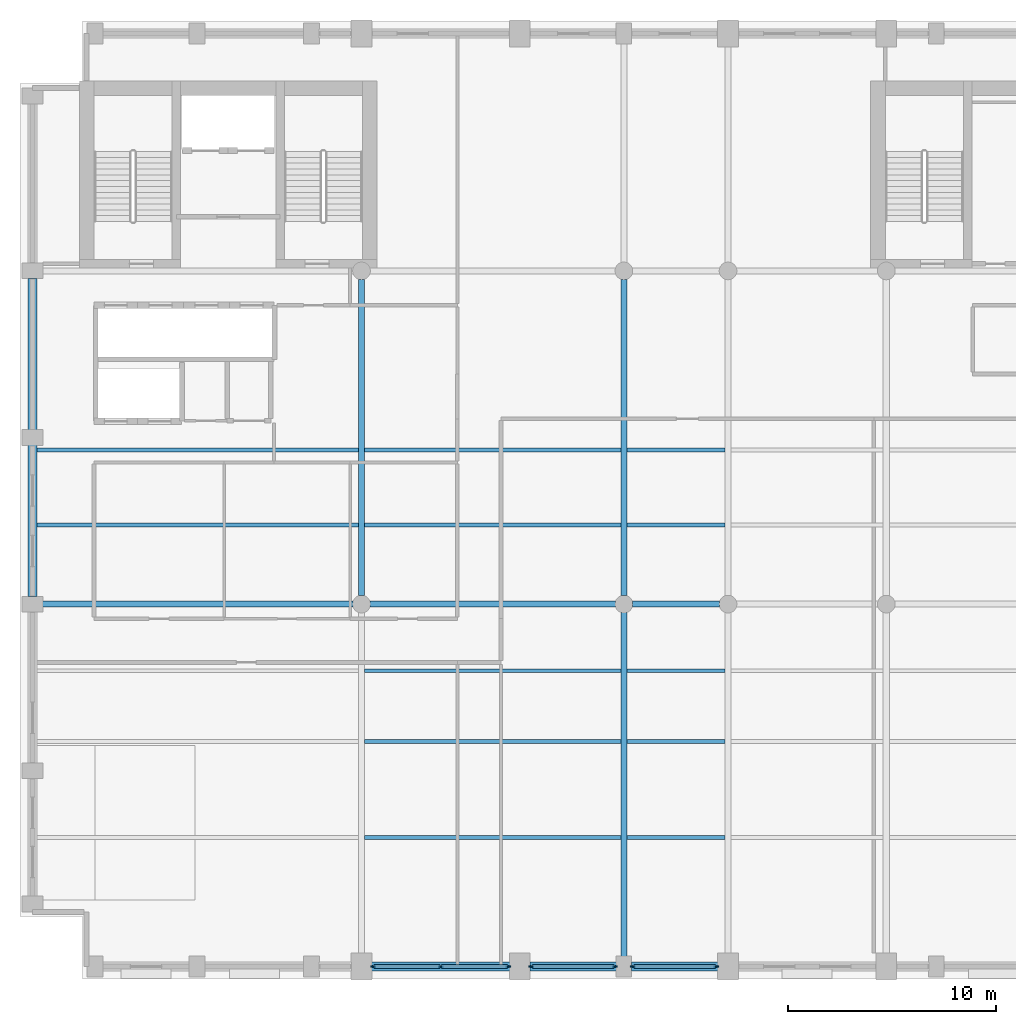
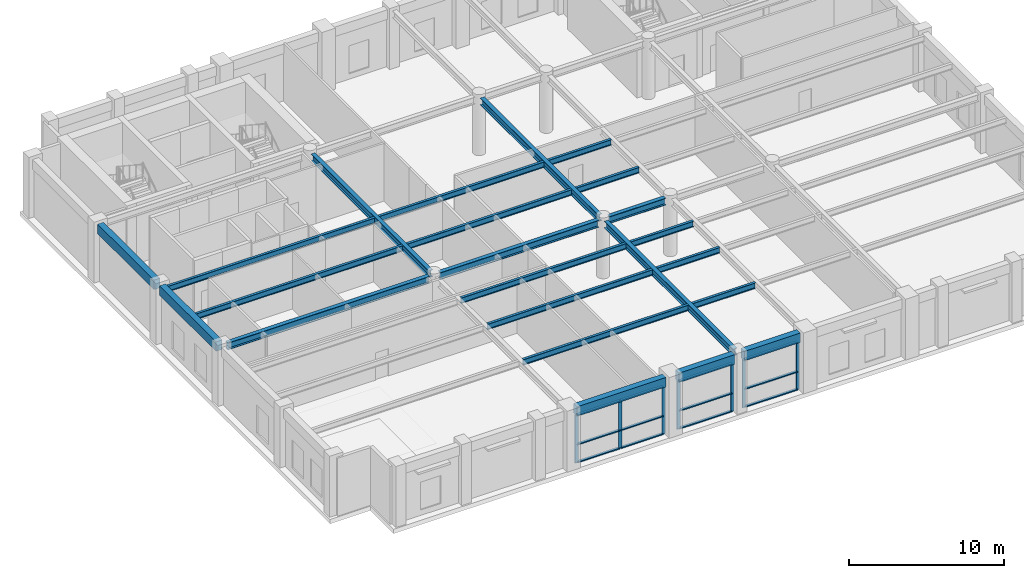
# One storey, part 2 of 10: 23 beams, 19 members, 3 elements without a shape of their own.
"""IFC4 building model written with IfcOpenShell, lengths in metres."""

from ifc_helpers import new_model, si_unit, direction, frame, origin, origin_2d, place, context, subcontext, project, spatial, rectangle, i_section, extrude, material, layer, layer_set, material_profile, profile_set, type_object, element, aggregate, save


model = new_model("IFC4")

# Units and contexts
model_context = context("Model", 3, precision=1e-05, world=origin(), true_north=direction((0.0, 1.0)))
body_context = subcontext(model_context, "Body", "Model", "MODEL_VIEW")
ifc_project = project(units=[si_unit("LENGTHUNIT", "METRE"), si_unit("AREAUNIT", "SQUARE_METRE"), si_unit("VOLUMEUNIT", "CUBIC_METRE"), si_unit("PLANEANGLEUNIT", "RADIAN"), si_unit("MASSUNIT", "GRAM", prefix="KILO")], contexts=[model_context])

# Site, building, storey
site_placement = place(None, origin())
site = spatial("IfcSite", under=ifc_project, at=site_placement, CompositionType="ELEMENT")
building_placement = place(site_placement, origin())
building = spatial("IfcBuilding", under=site, at=building_placement, Name="Sulina Concourse Tower", CompositionType="ELEMENT")
storey_placement = place(building_placement, frame((0.0, 0.0, 243.800048828125)))
storey = spatial("IfcBuildingStorey", under=building, at=storey_placement, Name="L59", CompositionType="ELEMENT", Elevation=243.800048828125)

# Beams
ifc_material_1 = material(Name="Steel S355", Category="steel")
ifc_material_profile_1 = material_profile(ifc_material_1, i_section(OverallWidth=0.18994140625, OverallDepth=0.449951171875, WebThickness=0.009521484375, FlangeThickness=0.0146484375, at=origin_2d()), Name="IPE 450")
ifc_profile_set_1 = profile_set([ifc_material_profile_1], Name="Steel S355")
beam_type_1 = type_object("IfcBeamType", Name="Composite Floor Joist IPE450", PredefinedType="JOIST", material=ifc_profile_set_1)
beam_1_placement = place(storey_placement, frame((16.550048828125, 6.800048828125, 4.324951171875), z_axis=(1.0, 0.0, 0.0), x_axis=(0.0, 1.0, 0.0)))
element("IfcBeam", 1, at=beam_1_placement, inside=storey, type_object=beam_type_1, Name="FJ-J06-2-L59", PredefinedType="JOIST", context=body_context, shape_type="SweptSolid", body=[
    extrude(i_section(OverallWidth=0.18994140625, OverallDepth=0.449951171875, WebThickness=0.009521484375, FlangeThickness=0.0146484375, at=origin_2d()), origin(), (0.0, 0.0, 1.0), 12.300048828125),
])
beam_2_placement = place(storey_placement, frame((29.14990234375, 6.800048828125, 4.324951171875), z_axis=(1.0, 0.0, 0.0), x_axis=(0.0, 1.0, 0.0)))
element("IfcBeam", 2, at=beam_2_placement, inside=storey, type_object=beam_type_1, Name="FJ-J06-3-L59", PredefinedType="JOIST", context=body_context, shape_type="SweptSolid", body=[
    extrude(i_section(OverallWidth=0.18994140625, OverallDepth=0.449951171875, WebThickness=0.009521484375, FlangeThickness=0.0146484375, at=origin_2d()), origin(), (0.0, 0.0, 1.0), 4.7001953125),
])
beam_3_placement = place(storey_placement, frame((16.550048828125, 11.39990234375, 4.324951171875), z_axis=(1.0, 0.0, 0.0), x_axis=(0.0, 1.0, 0.0)))
element("IfcBeam", 3, at=beam_3_placement, inside=storey, type_object=beam_type_1, Name="FJ-J11-2-L59", PredefinedType="JOIST", context=body_context, shape_type="SweptSolid", body=[
    extrude(i_section(OverallWidth=0.18994140625, OverallDepth=0.449951171875, WebThickness=0.009521484375, FlangeThickness=0.0146484375, at=origin_2d()), origin(), (0.0, 0.0, 1.0), 12.300048828125),
])
beam_4_placement = place(storey_placement, frame((29.14990234375, 11.39990234375, 4.324951171875), z_axis=(1.0, 0.0, 0.0), x_axis=(0.0, 1.0, 0.0)))
element("IfcBeam", 4, at=beam_4_placement, inside=storey, type_object=beam_type_1, Name="FJ-J11-3-L59", PredefinedType="JOIST", context=body_context, shape_type="SweptSolid", body=[
    extrude(i_section(OverallWidth=0.18994140625, OverallDepth=0.449951171875, WebThickness=0.009521484375, FlangeThickness=0.0146484375, at=origin_2d()), origin(), (0.0, 0.0, 1.0), 4.7001953125),
])
beam_5_placement = place(storey_placement, frame((16.550048828125, 14.800048828125, 4.324951171875), z_axis=(1.0, 0.0, 0.0), x_axis=(0.0, 1.0, 0.0)))
element("IfcBeam", 5, at=beam_5_placement, inside=storey, type_object=beam_type_1, Name="FJ-J15-2-L59", PredefinedType="JOIST", context=body_context, shape_type="SweptSolid", body=[
    extrude(i_section(OverallWidth=0.18994140625, OverallDepth=0.449951171875, WebThickness=0.009521484375, FlangeThickness=0.0146484375, at=origin_2d()), origin(), (0.0, 0.0, 1.0), 12.300048828125),
])
beam_6_placement = place(storey_placement, frame((29.14990234375, 14.800048828125, 4.324951171875), z_axis=(1.0, 0.0, 0.0), x_axis=(0.0, 1.0, 0.0)))
element("IfcBeam", 6, at=beam_6_placement, inside=storey, type_object=beam_type_1, Name="FJ-J15-3-L59", PredefinedType="JOIST", context=body_context, shape_type="SweptSolid", body=[
    extrude(i_section(OverallWidth=0.18994140625, OverallDepth=0.449951171875, WebThickness=0.009521484375, FlangeThickness=0.0146484375, at=origin_2d()), origin(), (0.0, 0.0, 1.0), 4.7001953125),
])
beam_7_placement = place(storey_placement, frame((0.824951171875, 21.800048828125, 4.324951171875), z_axis=(1.0, 0.0, 0.0), x_axis=(0.0, 1.0, 0.0)))
element("IfcBeam", 7, at=beam_7_placement, inside=storey, type_object=beam_type_1, Name="FJ-J22-1-L59", PredefinedType="JOIST", context=body_context, shape_type="SweptSolid", body=[
    extrude(i_section(OverallWidth=0.18994140625, OverallDepth=0.449951171875, WebThickness=0.009521484375, FlangeThickness=0.0146484375, at=origin_2d()), origin(), (0.0, 0.0, 1.0), 15.425048828125),
])
beam_8_placement = place(storey_placement, frame((16.550048828125, 21.800048828125, 4.324951171875), z_axis=(1.0, 0.0, 0.0), x_axis=(0.0, 1.0, 0.0)))
element("IfcBeam", 8, at=beam_8_placement, inside=storey, type_object=beam_type_1, Name="FJ-J22-2-L59", PredefinedType="JOIST", context=body_context, shape_type="SweptSolid", body=[
    extrude(i_section(OverallWidth=0.18994140625, OverallDepth=0.449951171875, WebThickness=0.009521484375, FlangeThickness=0.0146484375, at=origin_2d()), origin(), (0.0, 0.0, 1.0), 12.300048828125),
])
beam_9_placement = place(storey_placement, frame((29.14990234375, 21.800048828125, 4.324951171875), z_axis=(1.0, 0.0, 0.0), x_axis=(0.0, 1.0, 0.0)))
element("IfcBeam", 9, at=beam_9_placement, inside=storey, type_object=beam_type_1, Name="FJ-J22-3-L59", PredefinedType="JOIST", context=body_context, shape_type="SweptSolid", body=[
    extrude(i_section(OverallWidth=0.18994140625, OverallDepth=0.449951171875, WebThickness=0.009521484375, FlangeThickness=0.0146484375, at=origin_2d()), origin(), (0.0, 0.0, 1.0), 4.7001953125),
])
beam_10_placement = place(storey_placement, frame((0.824951171875, 25.39990234375, 4.324951171875), z_axis=(1.0, 0.0, 0.0), x_axis=(0.0, 1.0, 0.0)))
element("IfcBeam", 10, at=beam_10_placement, inside=storey, type_object=beam_type_1, Name="FJ-J25-1-L59", PredefinedType="JOIST", context=body_context, shape_type="SweptSolid", body=[
    extrude(i_section(OverallWidth=0.18994140625, OverallDepth=0.449951171875, WebThickness=0.009521484375, FlangeThickness=0.0146484375, at=origin_2d()), origin(), (0.0, 0.0, 1.0), 15.425048828125),
])
beam_11_placement = place(storey_placement, frame((16.550048828125, 25.39990234375, 4.324951171875), z_axis=(1.0, 0.0, 0.0), x_axis=(0.0, 1.0, 0.0)))
element("IfcBeam", 11, at=beam_11_placement, inside=storey, type_object=beam_type_1, Name="FJ-J25-2-L59", PredefinedType="JOIST", context=body_context, shape_type="SweptSolid", body=[
    extrude(i_section(OverallWidth=0.18994140625, OverallDepth=0.449951171875, WebThickness=0.009521484375, FlangeThickness=0.0146484375, at=origin_2d()), origin(), (0.0, 0.0, 1.0), 12.300048828125),
])
beam_12_placement = place(storey_placement, frame((29.14990234375, 25.39990234375, 4.324951171875), z_axis=(1.0, 0.0, 0.0), x_axis=(0.0, 1.0, 0.0)))
element("IfcBeam", 12, at=beam_12_placement, inside=storey, type_object=beam_type_1, Name="FJ-J25-3-L59", PredefinedType="JOIST", context=body_context, shape_type="SweptSolid", body=[
    extrude(i_section(OverallWidth=0.18994140625, OverallDepth=0.449951171875, WebThickness=0.009521484375, FlangeThickness=0.0146484375, at=origin_2d()), origin(), (0.0, 0.0, 1.0), 4.7001953125),
])
ifc_material_2 = material(Name="Steel S355", Category="steel")
ifc_material_profile_2 = material_profile(ifc_material_2, i_section(OverallWidth=0.300048828125, OverallDepth=0.550048828125, WebThickness=0.014892578125, FlangeThickness=0.029052734375, at=origin_2d()), Name="HE 550 B")
ifc_profile_set_2 = profile_set([ifc_material_profile_2], Name="Steel S355")
beam_type_2 = type_object("IfcBeamType", Name="Floor Primary Girder Zone 4 HE550B", PredefinedType="BEAM", material=ifc_profile_set_2)
beam_13_placement = place(storey_placement, frame((0.955078125, 18.0, 4.27490234375), z_axis=(1.0, 0.0, 0.0), x_axis=(0.0, 1.0, 0.0)))
element("IfcBeam", 13, at=beam_13_placement, inside=storey, type_object=beam_type_2, Name="FG-EW1-L59", PredefinedType="BEAM", context=body_context, shape_type="SweptSolid", body=[
    extrude(i_section(OverallWidth=0.300048828125, OverallDepth=0.550048828125, WebThickness=0.014892578125, FlangeThickness=0.029052734375, at=origin_2d()), origin(), (0.0, 0.0, 1.0), 15.0400390625),
])
beam_14_placement = place(storey_placement, frame((16.804931640625, 18.0, 4.27490234375), z_axis=(1.0, 0.0, 0.0), x_axis=(0.0, 1.0, 0.0)))
element("IfcBeam", 14, at=beam_14_placement, inside=storey, type_object=beam_type_2, Name="FG-EW2-L59", PredefinedType="BEAM", context=body_context, shape_type="SweptSolid", body=[
    extrude(i_section(OverallWidth=0.300048828125, OverallDepth=0.550048828125, WebThickness=0.014892578125, FlangeThickness=0.029052734375, at=origin_2d()), origin(), (0.0, 0.0, 1.0), 11.7900390625),
])
beam_15_placement = place(storey_placement, frame((29.405029296875, 18.0, 4.27490234375), z_axis=(1.0, 0.0, 0.0), x_axis=(0.0, 1.0, 0.0)))
element("IfcBeam", 15, at=beam_15_placement, inside=storey, type_object=beam_type_2, Name="FG-EW3-L59", PredefinedType="BEAM", context=body_context, shape_type="SweptSolid", body=[
    extrude(i_section(OverallWidth=0.300048828125, OverallDepth=0.550048828125, WebThickness=0.014892578125, FlangeThickness=0.029052734375, at=origin_2d()), origin(), (0.0, 0.0, 1.0), 4.18994140625),
])
beam_16_placement = place(storey_placement, frame((16.39990234375, 18.405029296875, 4.27490234375), z_axis=(0.0, 1.0, 0.0), x_axis=(-1.0, 0.0, 0.0)))
element("IfcBeam", 16, at=beam_16_placement, inside=storey, type_object=beam_type_2, Name="FG-NSB-16-L59", PredefinedType="BEAM", context=body_context, shape_type="SweptSolid", body=[
    extrude(i_section(OverallWidth=0.300048828125, OverallDepth=0.550048828125, WebThickness=0.014892578125, FlangeThickness=0.029052734375, at=origin_2d()), origin(), (0.0, 0.0, 1.0), 15.18994140625),
])
beam_17_placement = place(storey_placement, frame((29.0, 0.955078125, 4.27490234375), z_axis=(0.0, 1.0, 0.0), x_axis=(-1.0, 0.0, 0.0)))
element("IfcBeam", 17, at=beam_17_placement, inside=storey, type_object=beam_type_2, Name="FG-NSA-29-L59", PredefinedType="BEAM", context=body_context, shape_type="SweptSolid", body=[
    extrude(i_section(OverallWidth=0.300048828125, OverallDepth=0.550048828125, WebThickness=0.014892578125, FlangeThickness=0.029052734375, at=origin_2d()), origin(), (0.0, 0.0, 1.0), 16.639892578125),
])
beam_18_placement = place(storey_placement, frame((29.0, 18.405029296875, 4.27490234375), z_axis=(0.0, 1.0, 0.0), x_axis=(-1.0, 0.0, 0.0)))
element("IfcBeam", 18, at=beam_18_placement, inside=storey, type_object=beam_type_2, Name="FG-NSB-29-L59", PredefinedType="BEAM", context=body_context, shape_type="SweptSolid", body=[
    extrude(i_section(OverallWidth=0.300048828125, OverallDepth=0.550048828125, WebThickness=0.014892578125, FlangeThickness=0.029052734375, at=origin_2d()), origin(), (0.0, 0.0, 1.0), 15.18994140625),
])

# Curtain wall, members
ifc_material_3 = material(Name="Anodised bronze aluminium", Category="aluminium")
ifc_layer = layer(ifc_material_3, 0.260009765625)
ifc_layer_set = layer_set([ifc_layer], Name="Anodised bronze aluminium")
curtain_wall_type = type_object("IfcCurtainWallType", Name="Sky-Lobby Panorama Curtain Wall System", PredefinedType="NOTDEFINED", material=ifc_layer_set)
curtain_wall_1_placement = place(storey_placement, origin())
curtain_wall_1 = element("IfcCurtainWall", 19, at=curtain_wall_1_placement, inside=storey, type_object=curtain_wall_type, Name="L59 glazed curtain wall S4", PredefinedType="NOTDEFINED")
ifc_material_4 = material(Name="Anodised bronze aluminium", Category="aluminium")
ifc_material_profile_3 = material_profile(ifc_material_4, rectangle(XDim=0.080078125, YDim=0.239990234375, at=origin_2d()), Name="MUL 80x240")
ifc_profile_set_3 = profile_set([ifc_material_profile_3], Name="Anodised bronze aluminium")
member_type_1 = type_object("IfcMemberType", Name="Sky-Lobby Panorama Curtain Wall System Mullion 80x240", PredefinedType="MULLION", material=ifc_profile_set_3)
member_1_placement = place(storey_placement, frame((23.43994140625, 0.60009765625, 0.0), z_axis=(0.0, 0.0, 1.0), x_axis=(0.0, -1.0, 0.0)))
member_1 = element("IfcMember", 20, at=member_1_placement, type_object=member_type_1, Name="CW-03 mullion 1", PredefinedType="MULLION", context=body_context, shape_type="SweptSolid", body=[
    extrude(rectangle(XDim=0.080078125, YDim=0.239990234375, at=origin_2d()), origin(), (0.0, 0.0, 1.0), 3.800048828125),
])
member_2_placement = place(storey_placement, frame((20.199951171875, 0.60009765625, 0.0), z_axis=(0.0, 0.0, 1.0), x_axis=(0.0, -1.0, 0.0)))
member_2 = element("IfcMember", 21, at=member_2_placement, type_object=member_type_1, Name="CW-03 mullion 2", PredefinedType="MULLION", context=body_context, shape_type="SweptSolid", body=[
    extrude(rectangle(XDim=0.080078125, YDim=0.239990234375, at=origin_2d()), origin(), (0.0, 0.0, 1.0), 3.800048828125),
])
member_3_placement = place(storey_placement, frame((16.9599609375, 0.60009765625, 0.0), z_axis=(0.0, 0.0, 1.0), x_axis=(0.0, -1.0, 0.0)))
member_3 = element("IfcMember", 22, at=member_3_placement, type_object=member_type_1, Name="CW-03 mullion 3", PredefinedType="MULLION", context=body_context, shape_type="SweptSolid", body=[
    extrude(rectangle(XDim=0.080078125, YDim=0.239990234375, at=origin_2d()), origin(), (0.0, 0.0, 1.0), 3.800048828125),
])

curtain_wall_2_placement = place(storey_placement, origin())
curtain_wall_2 = element("IfcCurtainWall", 23, at=curtain_wall_2_placement, inside=storey, type_object=curtain_wall_type, Name="L59 glazed curtain wall S5", PredefinedType="NOTDEFINED")
member_4_placement = place(storey_placement, frame((28.56494140625, 0.60009765625, 0.0), z_axis=(0.0, 0.0, 1.0), x_axis=(0.0, -1.0, 0.0)))
member_4 = element("IfcMember", 24, at=member_4_placement, type_object=member_type_1, Name="CW-03 mullion 1", PredefinedType="MULLION", context=body_context, shape_type="SweptSolid", body=[
    extrude(rectangle(XDim=0.080078125, YDim=0.239990234375, at=origin_2d()), origin(), (0.0, 0.0, 1.0), 3.800048828125),
])
member_5_placement = place(storey_placement, frame((24.56005859375, 0.60009765625, 0.0), z_axis=(0.0, 0.0, 1.0), x_axis=(0.0, -1.0, 0.0)))
member_5 = element("IfcMember", 25, at=member_5_placement, type_object=member_type_1, Name="CW-03 mullion 2", PredefinedType="MULLION", context=body_context, shape_type="SweptSolid", body=[
    extrude(rectangle(XDim=0.080078125, YDim=0.239990234375, at=origin_2d()), origin(), (0.0, 0.0, 1.0), 3.800048828125),
])

curtain_wall_3_placement = place(storey_placement, origin())
curtain_wall_3 = element("IfcCurtainWall", 26, at=curtain_wall_3_placement, inside=storey, type_object=curtain_wall_type, Name="L59 glazed curtain wall S6", PredefinedType="NOTDEFINED")
member_6_placement = place(storey_placement, frame((33.43994140625, 0.60009765625, 0.0), z_axis=(0.0, 0.0, 1.0), x_axis=(0.0, -1.0, 0.0)))
member_6 = element("IfcMember", 27, at=member_6_placement, type_object=member_type_1, Name="CW-03 mullion 1", PredefinedType="MULLION", context=body_context, shape_type="SweptSolid", body=[
    extrude(rectangle(XDim=0.080078125, YDim=0.239990234375, at=origin_2d()), origin(), (0.0, 0.0, 1.0), 3.800048828125),
])
member_7_placement = place(storey_placement, frame((29.43505859375, 0.60009765625, 0.0), z_axis=(0.0, 0.0, 1.0), x_axis=(0.0, -1.0, 0.0)))
member_7 = element("IfcMember", 28, at=member_7_placement, type_object=member_type_1, Name="CW-03 mullion 2", PredefinedType="MULLION", context=body_context, shape_type="SweptSolid", body=[
    extrude(rectangle(XDim=0.080078125, YDim=0.239990234375, at=origin_2d()), origin(), (0.0, 0.0, 1.0), 3.800048828125),
])

# Member
ifc_material_5 = material(Name="Anodised bronze aluminium", Category="aluminium")
ifc_material_profile_4 = material_profile(ifc_material_5, rectangle(XDim=0.195068359375, YDim=0.080078125, at=origin_2d()), Name="TRN 80x195")
ifc_profile_set_4 = profile_set([ifc_material_profile_4], Name="Anodised bronze aluminium")
member_type_2 = type_object("IfcMemberType", Name="Sky-Lobby Panorama Curtain Wall System Transom 80x195", PredefinedType="USERDEFINED", material=ifc_profile_set_4)
member_8_placement = place(storey_placement, frame((23.39990234375, 0.60009765625, 0.0400390625), z_axis=(-1.0, 0.0, 0.0), x_axis=(0.0, -1.0, 0.0)))
member_8 = element("IfcMember", 29, at=member_8_placement, type_object=member_type_2, Name="CW-03 transom 1.1", ObjectType="TRANSOM", PredefinedType="USERDEFINED", context=body_context, shape_type="SweptSolid", body=[
    extrude(rectangle(XDim=0.195068359375, YDim=0.080078125, at=origin_2d()), origin(), (0.0, 0.0, 1.0), 3.159912109375),
])

member_9_placement = place(storey_placement, frame((23.39990234375, 0.60009765625, 1.44384765625), z_axis=(-1.0, 0.0, 0.0), x_axis=(0.0, -1.0, 0.0)))
member_9 = element("IfcMember", 30, at=member_9_placement, type_object=member_type_2, Name="CW-03 transom 1.2", ObjectType="TRANSOM", PredefinedType="USERDEFINED", context=body_context, shape_type="SweptSolid", body=[
    extrude(rectangle(XDim=0.195068359375, YDim=0.080078125, at=origin_2d()), origin(), (0.0, 0.0, 1.0), 3.159912109375),
])

member_10_placement = place(storey_placement, frame((23.39990234375, 0.60009765625, 3.760009765625), z_axis=(-1.0, 0.0, 0.0), x_axis=(0.0, -1.0, 0.0)))
member_10 = element("IfcMember", 31, at=member_10_placement, type_object=member_type_2, Name="CW-03 transom 1.3", ObjectType="TRANSOM", PredefinedType="USERDEFINED", context=body_context, shape_type="SweptSolid", body=[
    extrude(rectangle(XDim=0.195068359375, YDim=0.080078125, at=origin_2d()), origin(), (0.0, 0.0, 1.0), 3.159912109375),
])

member_11_placement = place(storey_placement, frame((20.159912109375, 0.60009765625, 0.0400390625), z_axis=(-1.0, 0.0, 0.0), x_axis=(0.0, -1.0, 0.0)))
member_11 = element("IfcMember", 32, at=member_11_placement, type_object=member_type_2, Name="CW-03 transom 2.1", ObjectType="TRANSOM", PredefinedType="USERDEFINED", context=body_context, shape_type="SweptSolid", body=[
    extrude(rectangle(XDim=0.195068359375, YDim=0.080078125, at=origin_2d()), origin(), (0.0, 0.0, 1.0), 3.159912109375),
])

member_12_placement = place(storey_placement, frame((20.159912109375, 0.60009765625, 1.44384765625), z_axis=(-1.0, 0.0, 0.0), x_axis=(0.0, -1.0, 0.0)))
member_12 = element("IfcMember", 33, at=member_12_placement, type_object=member_type_2, Name="CW-03 transom 2.2", ObjectType="TRANSOM", PredefinedType="USERDEFINED", context=body_context, shape_type="SweptSolid", body=[
    extrude(rectangle(XDim=0.195068359375, YDim=0.080078125, at=origin_2d()), origin(), (0.0, 0.0, 1.0), 3.159912109375),
])

member_13_placement = place(storey_placement, frame((20.159912109375, 0.60009765625, 3.760009765625), z_axis=(-1.0, 0.0, 0.0), x_axis=(0.0, -1.0, 0.0)))
member_13 = element("IfcMember", 34, at=member_13_placement, type_object=member_type_2, Name="CW-03 transom 2.3", ObjectType="TRANSOM", PredefinedType="USERDEFINED", context=body_context, shape_type="SweptSolid", body=[
    extrude(rectangle(XDim=0.195068359375, YDim=0.080078125, at=origin_2d()), origin(), (0.0, 0.0, 1.0), 3.159912109375),
])

aggregate(curtain_wall_1, [member_1, member_2, member_3, member_8, member_9, member_10, member_11, member_12, member_13])

member_14_placement = place(storey_placement, frame((28.52490234375, 0.60009765625, 0.0400390625), z_axis=(-1.0, 0.0, 0.0), x_axis=(0.0, -1.0, 0.0)))
member_14 = element("IfcMember", 35, at=member_14_placement, type_object=member_type_2, Name="CW-03 transom 1.1", ObjectType="TRANSOM", PredefinedType="USERDEFINED", context=body_context, shape_type="SweptSolid", body=[
    extrude(rectangle(XDim=0.195068359375, YDim=0.080078125, at=origin_2d()), origin(), (0.0, 0.0, 1.0), 3.9248046875),
])

member_15_placement = place(storey_placement, frame((28.52490234375, 0.60009765625, 1.44384765625), z_axis=(-1.0, 0.0, 0.0), x_axis=(0.0, -1.0, 0.0)))
member_15 = element("IfcMember", 36, at=member_15_placement, type_object=member_type_2, Name="CW-03 transom 1.2", ObjectType="TRANSOM", PredefinedType="USERDEFINED", context=body_context, shape_type="SweptSolid", body=[
    extrude(rectangle(XDim=0.195068359375, YDim=0.080078125, at=origin_2d()), origin(), (0.0, 0.0, 1.0), 3.9248046875),
])

member_16_placement = place(storey_placement, frame((28.52490234375, 0.60009765625, 3.760009765625), z_axis=(-1.0, 0.0, 0.0), x_axis=(0.0, -1.0, 0.0)))
member_16 = element("IfcMember", 37, at=member_16_placement, type_object=member_type_2, Name="CW-03 transom 1.3", ObjectType="TRANSOM", PredefinedType="USERDEFINED", context=body_context, shape_type="SweptSolid", body=[
    extrude(rectangle(XDim=0.195068359375, YDim=0.080078125, at=origin_2d()), origin(), (0.0, 0.0, 1.0), 3.9248046875),
])

aggregate(curtain_wall_2, [member_4, member_5, member_14, member_15, member_16])

member_17_placement = place(storey_placement, frame((33.39990234375, 0.60009765625, 0.0400390625), z_axis=(-1.0, 0.0, 0.0), x_axis=(0.0, -1.0, 0.0)))
member_17 = element("IfcMember", 38, at=member_17_placement, type_object=member_type_2, Name="CW-03 transom 1.1", ObjectType="TRANSOM", PredefinedType="USERDEFINED", context=body_context, shape_type="SweptSolid", body=[
    extrude(rectangle(XDim=0.195068359375, YDim=0.080078125, at=origin_2d()), origin(), (0.0, 0.0, 1.0), 3.9248046875),
])

member_18_placement = place(storey_placement, frame((33.39990234375, 0.60009765625, 1.44384765625), z_axis=(-1.0, 0.0, 0.0), x_axis=(0.0, -1.0, 0.0)))
member_18 = element("IfcMember", 39, at=member_18_placement, type_object=member_type_2, Name="CW-03 transom 1.2", ObjectType="TRANSOM", PredefinedType="USERDEFINED", context=body_context, shape_type="SweptSolid", body=[
    extrude(rectangle(XDim=0.195068359375, YDim=0.080078125, at=origin_2d()), origin(), (0.0, 0.0, 1.0), 3.9248046875),
])

member_19_placement = place(storey_placement, frame((33.39990234375, 0.60009765625, 3.760009765625), z_axis=(-1.0, 0.0, 0.0), x_axis=(0.0, -1.0, 0.0)))
member_19 = element("IfcMember", 40, at=member_19_placement, type_object=member_type_2, Name="CW-03 transom 1.3", ObjectType="TRANSOM", PredefinedType="USERDEFINED", context=body_context, shape_type="SweptSolid", body=[
    extrude(rectangle(XDim=0.195068359375, YDim=0.080078125, at=origin_2d()), origin(), (0.0, 0.0, 1.0), 3.9248046875),
])

aggregate(curtain_wall_3, [member_6, member_7, member_17, member_18, member_19])

# Beams
ifc_material_6 = material(Name="Precast concrete C50/60", Category="concrete")
ifc_material_profile_5 = material_profile(ifc_material_6, rectangle(XDim=0.449951171875, YDim=0.75, at=origin_2d()), Name="RC 450x750")
ifc_profile_set_5 = profile_set([ifc_material_profile_5], Name="Precast concrete C50/60")
beam_type_3 = type_object("IfcBeamType", Name="Upper Precast Spandrel Edge Beam 450x750", PredefinedType="BEAM", material=ifc_profile_set_5)
beam_19_placement = place(storey_placement, frame((16.8798828125, 0.60009765625, 4.175048828125), z_axis=(1.0, 0.0, 0.0), x_axis=(0.0, 1.0, 0.0)))
element("IfcBeam", 41, at=beam_19_placement, inside=storey, type_object=beam_type_3, Name="SP-S4-L59", PredefinedType="BEAM", context=body_context, shape_type="SweptSolid", body=[
    extrude(rectangle(XDim=0.449951171875, YDim=0.75, at=origin_2d()), origin(), (0.0, 0.0, 1.0), 6.64013671875),
])
for number, where, z_axis, x_axis, name in (
    (42, (24.47998046875, 0.60009765625, 4.175048828125), (1.0, 0.0, 0.0), (0.0, 1.0, 0.0), "SP-S5-L59"),
    (43, (29.35498046875, 0.60009765625, 4.175048828125), (1.0, 0.0, 0.0), (0.0, 1.0, 0.0), "SP-S6-L59"),
):
    element("IfcBeam", number, at=place(storey_placement, frame(where, z_axis=z_axis, x_axis=x_axis)), inside=storey, type_object=beam_type_3, Name=name, PredefinedType="BEAM", context=body_context, shape_type="SweptSolid", body=[
        extrude(rectangle(XDim=0.449951171875, YDim=0.75, at=origin_2d()), origin(), (0.0, 0.0, 1.0), 4.1650390625),
    ])
for number, where, z_axis, x_axis, name in (
    (44, (0.60009765625, 18.35498046875, 4.175048828125), (0.0, 1.0, 0.0), (-1.0, 0.0, 0.0), "SP-W3-L59"),
    (45, (0.60009765625, 26.35498046875, 4.175048828125), (0.0, 1.0, 0.0), (-1.0, 0.0, 0.0), "SP-W4-L59"),
):
    element("IfcBeam", number, at=place(storey_placement, frame(where, z_axis=z_axis, x_axis=x_axis)), inside=storey, type_object=beam_type_3, Name=name, PredefinedType="BEAM", context=body_context, shape_type="SweptSolid", body=[
        extrude(rectangle(XDim=0.449951171875, YDim=0.75, at=origin_2d()), origin(), (0.0, 0.0, 1.0), 7.2900390625),
    ])

save(model, "model.ifc")
